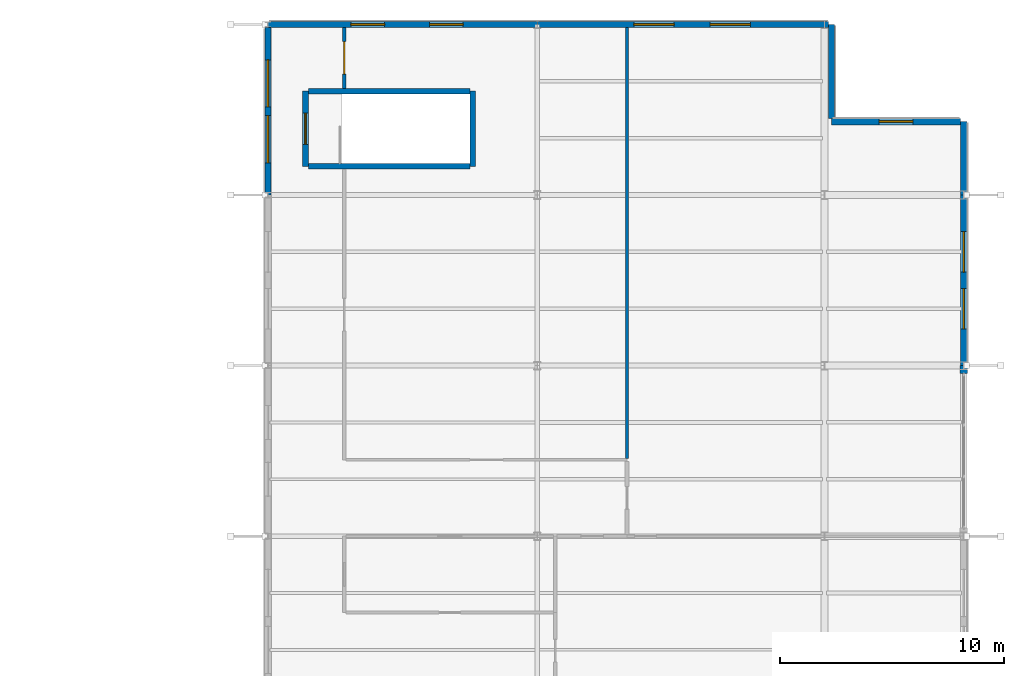
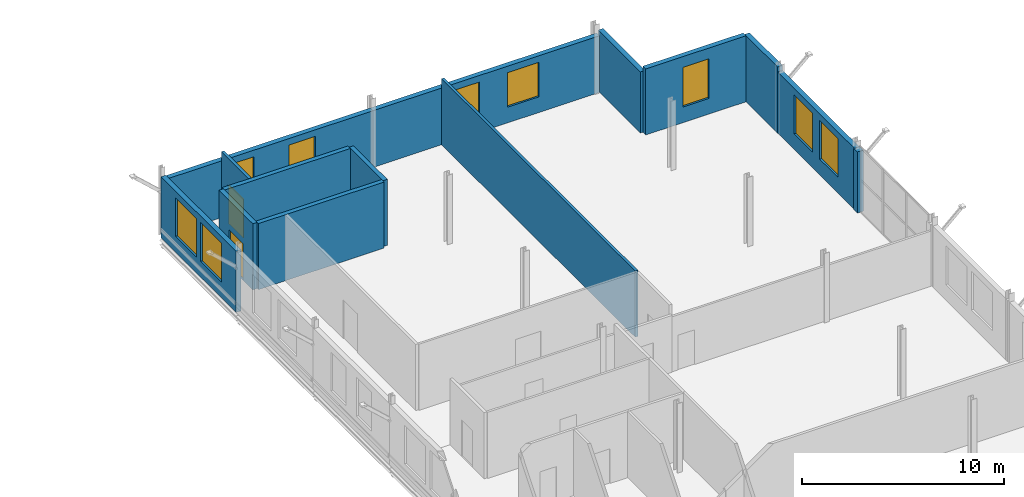
# One storey, part 23 of 25: 14 walls, 9 windows, 2 doors, 11 openings.
"""IFC4 building model written with IfcOpenShell, lengths in metres."""

from ifc_helpers import new_model, si_unit, direction, frame, frame_2d, origin, place, context, subcontext, project, spatial, rectangle, extrude, material, layer, layer_set, type_object, element, fill, save


model = new_model("IFC4")

# Units and contexts
model_context = context("Model", 3, precision=1e-05, world=origin(), true_north=direction((0.0, 1.0)))
body_context = subcontext(model_context, "Body", "Model", "MODEL_VIEW")
ifc_project = project(units=[si_unit("LENGTHUNIT", "METRE"), si_unit("AREAUNIT", "SQUARE_METRE"), si_unit("VOLUMEUNIT", "CUBIC_METRE"), si_unit("PLANEANGLEUNIT", "RADIAN"), si_unit("MASSUNIT", "GRAM", prefix="KILO")], contexts=[model_context])

# Site, building, storey
site_placement = place(None, origin())
site = spatial("IfcSite", under=ifc_project, at=site_placement, CompositionType="ELEMENT")
building_placement = place(site_placement, origin())
building = spatial("IfcBuilding", under=site, at=building_placement, Name="Vekula Escarpment Museum", CompositionType="ELEMENT")
storey_placement = place(building_placement, frame((0.0, 0.0, 26.39990234375)))
storey = spatial("IfcBuildingStorey", under=building, at=storey_placement, Name="L06", CompositionType="ELEMENT", Elevation=26.39990234375)

# Wall
ifc_material_1 = material(Name="Inkisi arkosic sandstone masonry", Category="masonry")
ifc_layer_1 = layer(ifc_material_1, 0.35009765625)
ifc_layer_set_1 = layer_set([ifc_layer_1], Name="Inkisi arkosic sandstone masonry")
wall_type_1 = type_object("IfcWallType", Name="WL-ALM-350", PredefinedType="SOLIDWALL", material=ifc_layer_set_1)
wall_1_placement = place(storey_placement, frame((198.0, 105.239990234375, 0.0), z_axis=(0.0, 0.0, 1.0), x_axis=(0.0, 1.0, 0.0)))
element("IfcWall", 1, at=wall_1_placement, inside=storey, type_object=wall_type_1, Name="Facade Jamb Pier L06-0913B", PredefinedType="SOLIDWALL", context=body_context, shape_type="SweptSolid", body=[
    extrude(rectangle(XDim=0.360107421875, YDim=0.35009765625, at=frame_2d((0.18017578125, 0.0))), origin(), (0.0, 0.0, 1.0), 3.695068359375),
])

# Wall, opening, door
ifc_material_2 = material(Name="Concrete C35/45", Category="concrete")
ifc_layer_2 = layer(ifc_material_2, 0.25)
ifc_layer_set_2 = layer_set([ifc_layer_2], Name="Concrete C35/45")
wall_type_2 = type_object("IfcWallType", Name="WL-CORE-250", PredefinedType="SHEAR", material=ifc_layer_set_2)
wall_2_placement = place(storey_placement, frame((168.675048828125, 114.47509765625, 0.0), z_axis=(0.0, 0.0, 1.0), x_axis=(0.0, 1.0, 0.0)))
wall_2 = element("IfcWall", 2, at=wall_2_placement, inside=storey, type_object=wall_type_2, Name="Stair Core Wall ST-05 L06 W", PredefinedType="SHEAR", context=body_context, shape_type="SweptSolid", body=[
    extrude(rectangle(XDim=3.349853515625, YDim=0.25, at=frame_2d((1.6748046875, 0.0))), origin(), (0.0, 0.0, 1.0), 4.0),
])
opening_1_placement = place(wall_2_placement, frame((0.97509765625, 0.0, 0.0)))
opening_1 = element("IfcOpeningElement", 3, at=opening_1_placement, cuts=wall_2, Name="Opening DR-FD60", PredefinedType="OPENING", context=body_context, shape_type="SweptSolid", body=[
    extrude(rectangle(XDim=1.39990234375, YDim=2.199951171875, at=frame_2d((0.699951171875, 1.10009765625))), frame((0.0, 0.135009765625, 0.0), z_axis=(0.0, -1.0, 0.0), x_axis=(1.0, 0.0, 0.0)), (0.0, 0.0, 1.0), 0.27001953125),
])
ifc_material_3 = material(Name="Fire-rated steel stair door", Category="steel")
door_type_1 = type_object("IfcDoorType", Name="DR-STAIR-1400x2200", OperationType="NOTDEFINED", PredefinedType="DOOR", material=ifc_material_3)
door_1_placement = place(opening_1_placement, origin())
door_1 = element("IfcDoor", 4, at=door_1_placement, inside=storey, type_object=door_type_1, Name="Protected Exit Stair Door ST-05 L06", OperationType="SINGLE_SWING_RIGHT", OverallHeight=2.199951171875, OverallWidth=1.39990234375, PredefinedType="DOOR", context=body_context, shape_type="SweptSolid", body=[
    extrude(rectangle(XDim=1.39990234375, YDim=2.199951171875, at=frame_2d((0.699951171875, 1.10009765625))), frame((0.0, 0.02490234375, 0.0), z_axis=(0.0, -1.0, 0.0), x_axis=(1.0, 0.0, 0.0)), (0.0, 0.0, 1.0), 0.050048828125),
])
fill(opening_1, door_1)

# Walls
wall_3_placement = place(storey_placement, frame((176.125, 114.47509765625, 0.0), z_axis=(0.0, 0.0, 1.0), x_axis=(0.0, 1.0, 0.0)))
element("IfcWall", 5, at=wall_3_placement, inside=storey, type_object=wall_type_2, Name="Stair Core Wall ST-05 L06 E", PredefinedType="SHEAR", context=body_context, shape_type="SweptSolid", body=[
    extrude(rectangle(XDim=3.349853515625, YDim=0.25, at=frame_2d((1.6748046875, 0.0))), origin(), (0.0, 0.0, 1.0), 4.0),
])
for number, where, z_axis, x_axis, name in (
    (6, (168.803955078125, 114.47509765625, 0.0), (0.0, 0.0, 1.0), (1.0, 0.0, 0.0), "Stair Core Wall ST-05 L06 S"),
    (7, (168.803955078125, 117.824951171875, 0.0), (0.0, 0.0, 1.0), (1.0, 0.0, 0.0), "Stair Core Wall ST-05 L06 N"),
):
    element("IfcWall", number, at=place(storey_placement, frame(where, z_axis=z_axis, x_axis=x_axis)), inside=storey, type_object=wall_type_2, Name=name, PredefinedType="SHEAR", context=body_context, shape_type="SweptSolid", body=[
        extrude(rectangle(XDim=7.192138671875, YDim=0.25, at=frame_2d((3.59619140625, 0.0))), origin(), (0.0, 0.0, 1.0), 4.0),
    ])

# Wall, openings, windows
ifc_material_4 = material(Name="Inkisi arkosic sandstone masonry", Category="masonry")
ifc_layer_3 = layer(ifc_material_4, 0.280029296875)
ifc_layer_set_3 = layer_set([ifc_layer_3], Name="Inkisi arkosic sandstone masonry")
wall_type_3 = type_object("IfcWallType", Name="WL-CUM-280", PredefinedType="SOLIDWALL", material=ifc_layer_set_3)
wall_4_placement = place(storey_placement, frame((198.0, 113.199951171875, 0.0), z_axis=(0.0, 0.0, 1.0), x_axis=(0.0, -1.0, 0.0)))
wall_4 = element("IfcWall", 8, at=wall_4_placement, inside=storey, type_object=wall_type_3, Name="Exterior Wall WL-EXT-L06-0914", PredefinedType="SOLIDWALL", context=body_context, shape_type="SweptSolid", body=[
    extrude(rectangle(XDim=7.599853515625, YDim=0.280029296875, at=frame_2d((3.7998046875, 0.0))), origin(), (0.0, 0.0, 1.0), 3.695068359375),
])
opening_2_placement = place(wall_4_placement, frame((1.63330078125, 0.0, 0.949951171875)))
opening_2 = element("IfcOpeningElement", 9, at=opening_2_placement, cuts=wall_4, Name="Opening WN-07", PredefinedType="OPENING", context=body_context, shape_type="SweptSolid", body=[
    extrude(rectangle(XDim=1.800048828125, YDim=2.35009765625, at=frame_2d((0.89990234375, 1.175048828125))), frame((0.0, 0.14990234375, 0.0), z_axis=(0.0, -1.0, 0.0), x_axis=(1.0, 0.0, 0.0)), (0.0, 0.0, 1.0), 0.300048828125),
])
opening_3_placement = place(wall_4_placement, frame((4.166748046875, 0.0, 0.949951171875)))
opening_3 = element("IfcOpeningElement", 10, at=opening_3_placement, cuts=wall_4, Name="Opening WN-07", PredefinedType="OPENING", context=body_context, shape_type="SweptSolid", body=[
    extrude(rectangle(XDim=1.800048828125, YDim=2.35009765625, at=frame_2d((0.89990234375, 1.175048828125))), frame((0.0, 0.14990234375, 0.0), z_axis=(0.0, -1.0, 0.0), x_axis=(1.0, 0.0, 0.0)), (0.0, 0.0, 1.0), 0.300048828125),
])
ifc_material_5 = material(Name="Double solar-control low-E glass", Category="glass")
window_type_1 = type_object("IfcWindowType", Name="WN-CUMBA-18x26", PartitioningType="DOUBLE_PANEL_VERTICAL", PredefinedType="WINDOW", material=ifc_material_5)
window_1_placement = place(opening_2_placement, origin())
window_1 = element("IfcWindow", 11, at=window_1_placement, inside=storey, type_object=window_type_1, Name="Window L06-0512", OverallHeight=2.35009765625, OverallWidth=1.800048828125, PartitioningType="SINGLE_PANEL", PredefinedType="WINDOW", context=body_context, shape_type="SweptSolid", body=[
    extrude(rectangle(XDim=1.800048828125, YDim=2.35009765625, at=frame_2d((0.89990234375, 1.175048828125))), frame((0.0, 0.030029296875, 0.0), z_axis=(0.0, -1.0, 0.0), x_axis=(1.0, 0.0, 0.0)), (0.0, 0.0, 1.0), 0.06005859375),
])
fill(opening_2, window_1)
window_2_placement = place(opening_3_placement, origin())
window_2 = element("IfcWindow", 12, at=window_2_placement, inside=storey, type_object=window_type_1, Name="Window L06-0513", OverallHeight=2.35009765625, OverallWidth=1.800048828125, PartitioningType="SINGLE_PANEL", PredefinedType="WINDOW", context=body_context, shape_type="SweptSolid", body=[
    extrude(rectangle(XDim=1.800048828125, YDim=2.35009765625, at=frame_2d((0.89990234375, 1.175048828125))), frame((0.0, 0.030029296875, 0.0), z_axis=(0.0, -1.0, 0.0), x_axis=(1.0, 0.0, 0.0)), (0.0, 0.0, 1.0), 0.06005859375),
])
fill(opening_3, window_2)

# Wall
wall_5_placement = place(storey_placement, frame((198.0, 116.468017578125, 0.0), z_axis=(0.0, 0.0, 1.0), x_axis=(0.0, -1.0, 0.0)))
element("IfcWall", 13, at=wall_5_placement, inside=storey, type_object=wall_type_3, Name="Exterior Wall WL-EXT-L06-0915", PredefinedType="SOLIDWALL", context=body_context, shape_type="SweptSolid", body=[
    extrude(rectangle(XDim=3.26806640625, YDim=0.280029296875, at=frame_2d((1.634033203125, 0.0))), origin(), (0.0, 0.0, 1.0), 4.0),
])

# Wall, opening, window
wall_6_placement = place(storey_placement, frame((192.110107421875, 116.468017578125, 0.0), z_axis=(0.0, 0.0, 1.0), x_axis=(1.0, 0.0, 0.0)))
wall_6 = element("IfcWall", 14, at=wall_6_placement, inside=storey, type_object=wall_type_3, Name="Exterior Wall WL-EXT-L06-0916", PredefinedType="SOLIDWALL", context=body_context, shape_type="SweptSolid", body=[
    extrude(rectangle(XDim=5.745849609375, YDim=0.280029296875, at=frame_2d((2.873046875, 0.0))), origin(), (0.0, 0.0, 1.0), 4.0),
])
opening_4_placement = place(wall_6_placement, frame((2.123046875, 0.0, 0.949951171875)))
opening_4 = element("IfcOpeningElement", 15, at=opening_4_placement, cuts=wall_6, Name="Opening WN-06", PredefinedType="OPENING", context=body_context, shape_type="SweptSolid", body=[
    extrude(rectangle(XDim=1.5, YDim=2.39990234375, at=frame_2d((0.75, 1.199951171875))), frame((0.0, 0.14990234375, 0.0), z_axis=(0.0, -1.0, 0.0), x_axis=(1.0, 0.0, 0.0)), (0.0, 0.0, 1.0), 0.300048828125),
])
ifc_material_6 = material(Name="Double solar-control low-E glass", Category="glass")
window_type_2 = type_object("IfcWindowType", Name="WN-CUMBA-15x24", PartitioningType="SINGLE_PANEL", PredefinedType="WINDOW", material=ifc_material_6)
window_3_placement = place(opening_4_placement, origin())
window_3 = element("IfcWindow", 16, at=window_3_placement, inside=storey, type_object=window_type_2, Name="Window L06-0514", OverallHeight=2.39990234375, OverallWidth=1.5, PartitioningType="SINGLE_PANEL", PredefinedType="WINDOW", context=body_context, shape_type="SweptSolid", body=[
    extrude(rectangle(XDim=1.5, YDim=2.39990234375, at=frame_2d((0.75, 1.199951171875))), frame((0.0, 0.030029296875, 0.0), z_axis=(0.0, -1.0, 0.0), x_axis=(1.0, 0.0, 0.0)), (0.0, 0.0, 1.0), 0.06005859375),
])
fill(opening_4, window_3)

# Wall
wall_7_placement = place(storey_placement, frame((192.110107421875, 120.800048828125, 0.0), z_axis=(0.0, 0.0, 1.0), x_axis=(0.0, -1.0, 0.0)))
element("IfcWall", 17, at=wall_7_placement, inside=storey, type_object=wall_type_3, Name="Exterior Wall WL-EXT-L06-0917", PredefinedType="SOLIDWALL", context=body_context, shape_type="SweptSolid", body=[
    extrude(rectangle(XDim=4.18798828125, YDim=0.280029296875, at=frame_2d((2.093994140625, 0.0))), origin(), (0.0, 0.0, 1.0), 3.695068359375),
])

# Wall, openings, windows
wall_8_placement = place(storey_placement, frame((179.0, 120.800048828125, 0.0), z_axis=(0.0, 0.0, 1.0), x_axis=(1.0, 0.0, 0.0)))
wall_8 = element("IfcWall", 18, at=wall_8_placement, inside=storey, type_object=wall_type_3, Name="Exterior Wall WL-EXT-L06-0918", PredefinedType="SOLIDWALL", context=body_context, shape_type="SweptSolid", body=[
    extrude(rectangle(XDim=12.966064453125, YDim=0.280029296875, at=frame_2d((6.48291015625, 0.0))), origin(), (0.0, 0.0, 1.0), 3.43505859375),
])
opening_5_placement = place(wall_8_placement, frame((4.300048828125, 0.0, 0.949951171875)))
opening_5 = element("IfcOpeningElement", 19, at=opening_5_placement, cuts=wall_8, Name="Opening WN-07", PredefinedType="OPENING", context=body_context, shape_type="SweptSolid", body=[
    extrude(rectangle(XDim=1.800048828125, YDim=2.090087890625, at=frame_2d((0.89990234375, 1.044921875))), frame((0.0, 0.14990234375, 0.0), z_axis=(0.0, -1.0, 0.0), x_axis=(1.0, 0.0, 0.0)), (0.0, 0.0, 1.0), 0.300048828125),
])
opening_6_placement = place(wall_8_placement, frame((7.699951171875, 0.0, 0.949951171875)))
opening_6 = element("IfcOpeningElement", 20, at=opening_6_placement, cuts=wall_8, Name="Opening WN-07", PredefinedType="OPENING", context=body_context, shape_type="SweptSolid", body=[
    extrude(rectangle(XDim=1.800048828125, YDim=2.090087890625, at=frame_2d((0.89990234375, 1.044921875))), frame((0.0, 0.14990234375, 0.0), z_axis=(0.0, -1.0, 0.0), x_axis=(1.0, 0.0, 0.0)), (0.0, 0.0, 1.0), 0.300048828125),
])
window_4_placement = place(opening_5_placement, origin())
window_4 = element("IfcWindow", 21, at=window_4_placement, inside=storey, type_object=window_type_1, Name="Window L06-0515", OverallHeight=2.090087890625, OverallWidth=1.800048828125, PartitioningType="SINGLE_PANEL", PredefinedType="WINDOW", context=body_context, shape_type="SweptSolid", body=[
    extrude(rectangle(XDim=1.800048828125, YDim=2.090087890625, at=frame_2d((0.89990234375, 1.044921875))), frame((0.0, 0.030029296875, 0.0), z_axis=(0.0, -1.0, 0.0), x_axis=(1.0, 0.0, 0.0)), (0.0, 0.0, 1.0), 0.06005859375),
])
fill(opening_5, window_4)
window_5_placement = place(opening_6_placement, origin())
window_5 = element("IfcWindow", 22, at=window_5_placement, inside=storey, type_object=window_type_1, Name="Window L06-0516", OverallHeight=2.090087890625, OverallWidth=1.800048828125, PartitioningType="SINGLE_PANEL", PredefinedType="WINDOW", context=body_context, shape_type="SweptSolid", body=[
    extrude(rectangle(XDim=1.800048828125, YDim=2.090087890625, at=frame_2d((0.89990234375, 1.044921875))), frame((0.0, 0.030029296875, 0.0), z_axis=(0.0, -1.0, 0.0), x_axis=(1.0, 0.0, 0.0)), (0.0, 0.0, 1.0), 0.06005859375),
])
fill(opening_6, window_5)

wall_9_placement = place(storey_placement, frame((167.0, 120.800048828125, 0.0), z_axis=(0.0, 0.0, 1.0), x_axis=(1.0, 0.0, 0.0)))
wall_9 = element("IfcWall", 23, at=wall_9_placement, inside=storey, type_object=wall_type_3, Name="Exterior Wall WL-EXT-L06-0919", PredefinedType="SOLIDWALL", context=body_context, shape_type="SweptSolid", body=[
    extrude(rectangle(XDim=12.0, YDim=0.280029296875, at=frame_2d((6.0, 0.0))), origin(), (0.0, 0.0, 1.0), 3.43505859375),
])
opening_7_placement = place(wall_9_placement, frame((3.699951171875, 0.0, 0.949951171875)))
opening_7 = element("IfcOpeningElement", 24, at=opening_7_placement, cuts=wall_9, Name="Opening WN-06", PredefinedType="OPENING", context=body_context, shape_type="SweptSolid", body=[
    extrude(rectangle(XDim=1.5, YDim=2.090087890625, at=frame_2d((0.75, 1.044921875))), frame((0.0, 0.14990234375, 0.0), z_axis=(0.0, -1.0, 0.0), x_axis=(1.0, 0.0, 0.0)), (0.0, 0.0, 1.0), 0.300048828125),
])
opening_8_placement = place(wall_9_placement, frame((7.199951171875, 0.0, 0.949951171875)))
opening_8 = element("IfcOpeningElement", 25, at=opening_8_placement, cuts=wall_9, Name="Opening WN-06", PredefinedType="OPENING", context=body_context, shape_type="SweptSolid", body=[
    extrude(rectangle(XDim=1.5, YDim=2.090087890625, at=frame_2d((0.75, 1.044921875))), frame((0.0, 0.14990234375, 0.0), z_axis=(0.0, -1.0, 0.0), x_axis=(1.0, 0.0, 0.0)), (0.0, 0.0, 1.0), 0.300048828125),
])
window_6_placement = place(opening_7_placement, origin())
window_6 = element("IfcWindow", 26, at=window_6_placement, inside=storey, type_object=window_type_2, Name="Window L06-0517", OverallHeight=2.090087890625, OverallWidth=1.5, PartitioningType="SINGLE_PANEL", PredefinedType="WINDOW", context=body_context, shape_type="SweptSolid", body=[
    extrude(rectangle(XDim=1.5, YDim=2.090087890625, at=frame_2d((0.75, 1.044921875))), frame((0.0, 0.030029296875, 0.0), z_axis=(0.0, -1.0, 0.0), x_axis=(1.0, 0.0, 0.0)), (0.0, 0.0, 1.0), 0.06005859375),
])
fill(opening_7, window_6)
window_7_placement = place(opening_8_placement, origin())
window_7 = element("IfcWindow", 27, at=window_7_placement, inside=storey, type_object=window_type_2, Name="Window L06-0518", OverallHeight=2.090087890625, OverallWidth=1.5, PartitioningType="SINGLE_PANEL", PredefinedType="WINDOW", context=body_context, shape_type="SweptSolid", body=[
    extrude(rectangle(XDim=1.5, YDim=2.090087890625, at=frame_2d((0.75, 1.044921875))), frame((0.0, 0.030029296875, 0.0), z_axis=(0.0, -1.0, 0.0), x_axis=(1.0, 0.0, 0.0)), (0.0, 0.0, 1.0), 0.06005859375),
])
fill(opening_8, window_7)

wall_10_placement = place(storey_placement, frame((167.0, 113.199951171875, 0.0), z_axis=(0.0, 0.0, 1.0), x_axis=(0.0, 1.0, 0.0)))
wall_10 = element("IfcWall", 28, at=wall_10_placement, inside=storey, type_object=wall_type_3, Name="Exterior Wall WL-EXT-L06-0920", PredefinedType="SOLIDWALL", context=body_context, shape_type="SweptSolid", body=[
    extrude(rectangle(XDim=7.4560546875, YDim=0.280029296875, at=frame_2d((3.72802734375, 0.0))), origin(), (0.0, 0.0, 1.0), 3.695068359375),
])
opening_9_placement = place(wall_10_placement, frame((1.435302734375, 0.0, 0.949951171875)))
opening_9 = element("IfcOpeningElement", 29, at=opening_9_placement, cuts=wall_10, Name="Opening WN-08", PredefinedType="OPENING", context=body_context, shape_type="SweptSolid", body=[
    extrude(rectangle(XDim=2.10009765625, YDim=2.35009765625, at=frame_2d((1.050048828125, 1.175048828125))), frame((0.0, 0.14990234375, 0.0), z_axis=(0.0, -1.0, 0.0), x_axis=(1.0, 0.0, 0.0)), (0.0, 0.0, 1.0), 0.300048828125),
])
opening_10_placement = place(wall_10_placement, frame((3.920654296875, 0.0, 0.949951171875)))
opening_10 = element("IfcOpeningElement", 30, at=opening_10_placement, cuts=wall_10, Name="Opening WN-08", PredefinedType="OPENING", context=body_context, shape_type="SweptSolid", body=[
    extrude(rectangle(XDim=2.10009765625, YDim=2.35009765625, at=frame_2d((1.050048828125, 1.175048828125))), frame((0.0, 0.14990234375, 0.0), z_axis=(0.0, -1.0, 0.0), x_axis=(1.0, 0.0, 0.0)), (0.0, 0.0, 1.0), 0.300048828125),
])
ifc_material_7 = material(Name="Double solar-control low-E glass", Category="glass")
window_type_3 = type_object("IfcWindowType", Name="WN-CUMBA-21x28", PartitioningType="DOUBLE_PANEL_VERTICAL", PredefinedType="WINDOW", material=ifc_material_7)
window_8_placement = place(opening_9_placement, origin())
window_8 = element("IfcWindow", 31, at=window_8_placement, inside=storey, type_object=window_type_3, Name="Window L06-0519", OverallHeight=2.35009765625, OverallWidth=2.10009765625, PartitioningType="SINGLE_PANEL", PredefinedType="WINDOW", context=body_context, shape_type="SweptSolid", body=[
    extrude(rectangle(XDim=2.10009765625, YDim=2.35009765625, at=frame_2d((1.050048828125, 1.175048828125))), frame((0.0, 0.030029296875, 0.0), z_axis=(0.0, -1.0, 0.0), x_axis=(1.0, 0.0, 0.0)), (0.0, 0.0, 1.0), 0.06005859375),
])
fill(opening_9, window_8)
window_9_placement = place(opening_10_placement, origin())
window_9 = element("IfcWindow", 32, at=window_9_placement, inside=storey, type_object=window_type_3, Name="Window L06-0520", OverallHeight=2.35009765625, OverallWidth=2.10009765625, PartitioningType="SINGLE_PANEL", PredefinedType="WINDOW", context=body_context, shape_type="SweptSolid", body=[
    extrude(rectangle(XDim=2.10009765625, YDim=2.35009765625, at=frame_2d((1.050048828125, 1.175048828125))), frame((0.0, 0.030029296875, 0.0), z_axis=(0.0, -1.0, 0.0), x_axis=(1.0, 0.0, 0.0)), (0.0, 0.0, 1.0), 0.06005859375),
])
fill(opening_10, window_9)

# Wall
ifc_material_8 = material(Name="Gypsum board dry-lined partition", Category="gypsum")
ifc_layer_4 = layer(ifc_material_8, 0.14990234375)
ifc_layer_set_4 = layer_set([ifc_layer_4], Name="Gypsum board dry-lined partition")
wall_type_4 = type_object("IfcWallType", Name="WL-PART-150", PredefinedType="PARTITIONING", material=ifc_layer_set_4)
wall_11_placement = place(storey_placement, frame((183.0, 101.464111328125, 0.0), z_axis=(0.0, 0.0, 1.0), x_axis=(0.0, 1.0, 0.0)))
element("IfcWall", 33, at=wall_11_placement, inside=storey, type_object=wall_type_4, Name="Interior Partition WL-INT-L06-0029", PredefinedType="PARTITIONING", context=body_context, shape_type="SweptSolid", body=[
    extrude(rectangle(XDim=19.19189453125, YDim=0.14990234375, at=frame_2d((9.595947265625, 0.0))), origin(), (0.0, 0.0, 1.0), 4.0),
])

# Wall, opening, door
ifc_material_9 = material(Name="Gypsum board gallery partition", Category="gypsum")
ifc_layer_5 = layer(ifc_material_9, 0.159912109375)
ifc_layer_set_5 = layer_set([ifc_layer_5], Name="Gypsum board gallery partition")
wall_type_5 = type_object("IfcWallType", Name="WL-PART-160", PredefinedType="PARTITIONING", material=ifc_layer_set_5)
wall_12_placement = place(storey_placement, frame((170.39990234375, 117.9541015625, 0.0), z_axis=(0.0, 0.0, 1.0), x_axis=(0.0, 1.0, 0.0)))
wall_12 = element("IfcWall", 34, at=wall_12_placement, inside=storey, type_object=wall_type_5, Name="Interior Partition WL-INT-L06-0025", PredefinedType="PARTITIONING", context=body_context, shape_type="SweptSolid", body=[
    extrude(rectangle(XDim=2.701904296875, YDim=0.159912109375, at=frame_2d((1.35107421875, 0.0))), origin(), (0.0, 0.0, 1.0), 4.0),
])
opening_11_placement = place(wall_12_placement, frame((0.6259765625, 0.0, 0.0)))
opening_11 = element("IfcOpeningElement", 35, at=opening_11_placement, cuts=wall_12, Name="Opening DR-LB14", PredefinedType="OPENING", context=body_context, shape_type="SweptSolid", body=[
    extrude(rectangle(XDim=1.449951171875, YDim=2.35009765625, at=frame_2d((0.72509765625, 1.175048828125))), frame((0.0, 0.08984375, 0.0), z_axis=(0.0, -1.0, 0.0), x_axis=(1.0, 0.0, 0.0)), (0.0, 0.0, 1.0), 0.179931640625),
])
ifc_material_10 = material(Name="Glazed timber library door", Category="wood")
door_type_2 = type_object("IfcDoorType", Name="DR-LIB-1450x2350", OperationType="NOTDEFINED", PredefinedType="DOOR", material=ifc_material_10)
door_2_placement = place(opening_11_placement, origin())
door_2 = element("IfcDoor", 36, at=door_2_placement, inside=storey, type_object=door_type_2, Name="Interior Door L06-019", OperationType="SINGLE_SWING_LEFT", OverallHeight=2.35009765625, OverallWidth=1.449951171875, PredefinedType="DOOR", context=body_context, shape_type="SweptSolid", body=[
    extrude(rectangle(XDim=1.449951171875, YDim=2.35009765625, at=frame_2d((0.72509765625, 1.175048828125))), frame((0.0, 0.02490234375, 0.0), z_axis=(0.0, -1.0, 0.0), x_axis=(1.0, 0.0, 0.0)), (0.0, 0.0, 1.0), 0.050048828125),
])
fill(opening_11, door_2)

save(model, "model.ifc")
